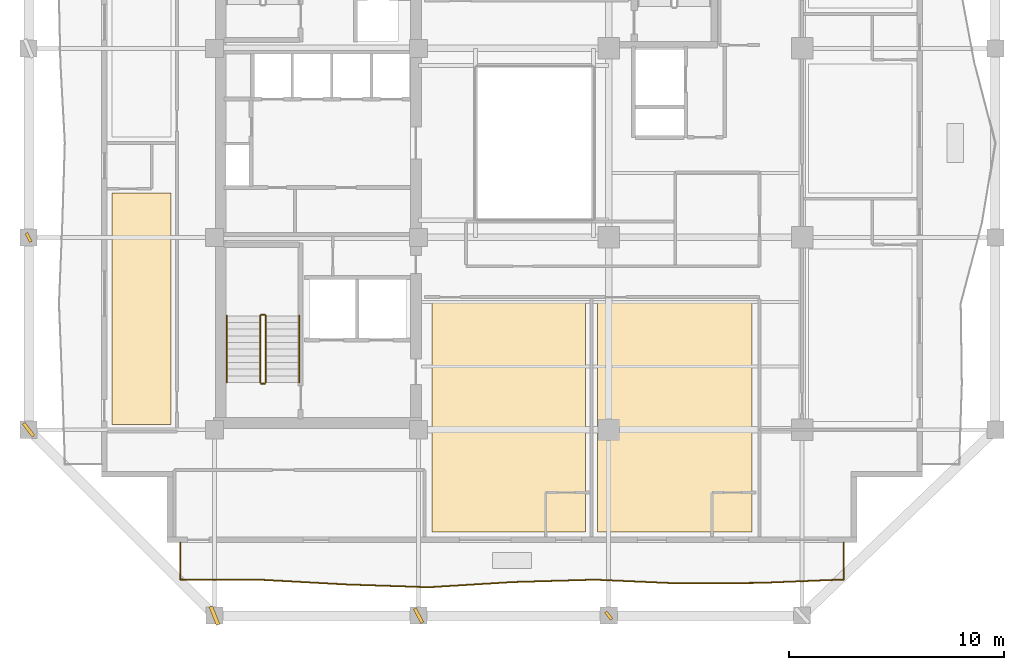
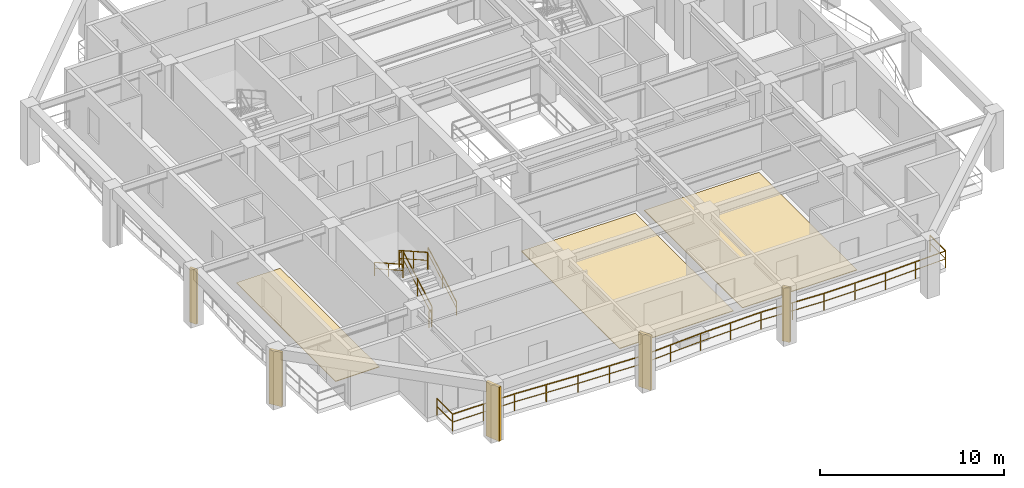
# One storey, part 8 of 11: 7 railings, 5 shading devices, 3 coverings.
"""IFC4 building model written with IfcOpenShell, lengths in metres."""

from ifc_helpers import new_model, si_unit, direction, frame, origin, origin_2d, place, context, subcontext, project, spatial, polyline, rectangle, outline, extrude, material, layer, layer_set, type_object, element, save


model = new_model("IFC4")

# Units and contexts
model_context = context("Model", 3, precision=1e-05, world=origin(), true_north=direction((0.0, 1.0)))
body_context = subcontext(model_context, "Body", "Model", "MODEL_VIEW")
ifc_project = project(units=[si_unit("LENGTHUNIT", "METRE"), si_unit("AREAUNIT", "SQUARE_METRE"), si_unit("VOLUMEUNIT", "CUBIC_METRE"), si_unit("PLANEANGLEUNIT", "RADIAN"), si_unit("MASSUNIT", "GRAM", prefix="KILO")], contexts=[model_context])

# Site, building, storey
site_placement = place(None, origin())
site = spatial("IfcSite", under=ifc_project, at=site_placement, CompositionType="ELEMENT")
building_placement = place(site_placement, origin())
building = spatial("IfcBuilding", under=site, at=building_placement, Name="Kundavana Baori Tower", CompositionType="ELEMENT")
storey_placement = place(building_placement, frame((0.0, 0.0, 123.25)))
storey = spatial("IfcBuildingStorey", under=building, at=storey_placement, Name="L29", CompositionType="ELEMENT", Elevation=123.25)

# Coverings
ifc_material_1 = material(Name="Honed Kota Stone and Terrazzo Flooring", Category="masonry")
ifc_layer = layer(ifc_material_1, 0.0400390625, Name="COV-FLR-TERR-40")
ifc_layer_set = layer_set([ifc_layer], Name="Honed Kota Stone and Terrazzo Flooring")
covering_type = type_object("IfcCoveringType", Name="COV-FLR-TERR-40", PredefinedType="FLOORING", material=ifc_layer_set)
covering_1_placement = place(storey_placement, origin())
element("IfcCovering", 1, at=covering_1_placement, inside=storey, type_object=covering_type, Name="L29 Room Finished Stone Flooring 1", PredefinedType="FLOORING", context=body_context, shape_type="SweptSolid", body=[
    extrude(outline(polyline([(10.679931640625, 15.5), (13.419921875, 15.5), (13.419921875, 26.27001953125), (10.679931640625, 26.27001953125), (10.679931640625, 15.5)])), origin(), (0.0, 0.0, 1.0), 0.0400390625),
])
covering_2_placement = place(storey_placement, origin())
element("IfcCovering", 2, at=covering_2_placement, inside=storey, type_object=covering_type, Name="L29 Room Finished Stone Flooring 3", PredefinedType="FLOORING", context=body_context, shape_type="SweptSolid", body=[
    extrude(outline(polyline([(25.580078125, 10.47998046875), (32.719970703125, 10.47998046875), (32.719970703125, 21.139892578125), (25.580078125, 21.139892578125), (25.580078125, 10.47998046875)])), origin(), (0.0, 0.0, 1.0), 0.0400390625),
])
covering_3_placement = place(storey_placement, origin())
element("IfcCovering", 3, at=covering_3_placement, inside=storey, type_object=covering_type, Name="L29 Room Finished Stone Flooring 4", PredefinedType="FLOORING", context=body_context, shape_type="SweptSolid", body=[
    extrude(outline(polyline([(33.280029296875, 10.47998046875), (40.4599609375, 10.47998046875), (40.4599609375, 21.139892578125), (33.280029296875, 21.139892578125), (33.280029296875, 10.47998046875)])), origin(), (0.0, 0.0, 1.0), 0.0400390625),
])

# Railings
ifc_material_2 = material(Name="Architectural Patinated Bronze Metalwork")
railing_type_1 = type_object("IfcRailingType", Name="RL-BAL-1150", PredefinedType="BALUSTRADE", material=ifc_material_2)
railing_1_placement = place(storey_placement, frame((44.75, 10.0, 0.0)))
element("IfcRailing", 4, at=railing_1_placement, inside=storey, type_object=railing_type_1, Name="L29 Loggia Balcony Balustrade S", PredefinedType="BALUSTRADE", context=body_context, shape_type="SweptSolid", body=[
    extrude(rectangle(XDim=0.048095703125, YDim=0.048095703125, at=origin_2d()), frame((0.0, 0.0, 1.1259765625), z_axis=(0.0, -1.0, 0.0), x_axis=(1.0, 0.0, 0.0)), (0.0, 0.0, 1.0), 1.719970703125),
    extrude(rectangle(XDim=0.03125, YDim=0.03125, at=origin_2d()), frame((0.0, 0.0, 0.597900390625), z_axis=(0.0, -1.0, 0.0), x_axis=(1.0, 0.0, 0.0)), (0.0, 0.0, 1.0), 1.719970703125),
    extrude(rectangle(XDim=0.048095703125, YDim=0.048095703125, at=origin_2d()), frame((0.0, -1.719970703125, 1.1259765625), z_axis=(-0.999144308463, -0.041360015297, 0.0), x_axis=(0.041360015297, -0.999144308463, 0.0)), (0.0, 0.0, 1.0), 3.866455078125),
    extrude(rectangle(XDim=0.03125, YDim=0.03125, at=origin_2d()), frame((0.0, -1.719970703125, 0.597900390625), z_axis=(-0.999144308463, -0.041360015297, 0.0), x_axis=(0.041360015297, -0.999144308463, 0.0)), (0.0, 0.0, 1.0), 3.866455078125),
    extrude(rectangle(XDim=0.048095703125, YDim=0.048095703125, at=origin_2d()), frame((-3.863037109375, -1.8798828125, 1.1259765625), z_axis=(-0.999980417435, -0.006258174431, 0.0), x_axis=(0.006258174431, -0.999980417435, 0.0)), (0.0, 0.0, 1.0), 3.862060546875),
    extrude(rectangle(XDim=0.03125, YDim=0.03125, at=origin_2d()), frame((-3.863037109375, -1.8798828125, 0.597900390625), z_axis=(-0.999980417435, -0.006258174431, 0.0), x_axis=(0.006258174431, -0.999980417435, 0.0)), (0.0, 0.0, 1.0), 3.862060546875),
    extrude(rectangle(XDim=0.048095703125, YDim=0.048095703125, at=origin_2d()), frame((-7.72509765625, -1.904052734375, 1.1259765625), z_axis=(-0.998985657213, 0.045029509015, 0.0), x_axis=(-0.045029509015, -0.998985657213, 0.0)), (0.0, 0.0, 1.0), 3.86572265625),
    extrude(rectangle(XDim=0.03125, YDim=0.03125, at=origin_2d()), frame((-7.72509765625, -1.904052734375, 0.597900390625), z_axis=(-0.998985657213, 0.045029509015, 0.0), x_axis=(-0.045029509015, -0.998985657213, 0.0)), (0.0, 0.0, 1.0), 3.86572265625),
    extrude(rectangle(XDim=0.048095703125, YDim=0.048095703125, at=origin_2d()), frame((-11.5869140625, -1.72998046875, 1.1259765625), z_axis=(-0.999564746277, -0.029501152532, 0.0), x_axis=(0.029501152532, -0.999564746277, 0.0)), (0.0, 0.0, 1.0), 3.86474609375),
    extrude(rectangle(XDim=0.03125, YDim=0.03125, at=origin_2d()), frame((-11.5869140625, -1.72998046875, 0.597900390625), z_axis=(-0.999564746277, -0.029501152532, 0.0), x_axis=(0.029501152532, -0.999564746277, 0.0)), (0.0, 0.0, 1.0), 3.86474609375),
    extrude(rectangle(XDim=0.048095703125, YDim=0.048095703125, at=origin_2d()), frame((-15.449951171875, -1.843994140625, 1.1259765625), z_axis=(-0.998090445821, -0.061769425783, 0.0), x_axis=(0.061769425783, -0.998090445821, 0.0)), (0.0, 0.0, 1.0), 3.869384765625),
    extrude(rectangle(XDim=0.03125, YDim=0.03125, at=origin_2d()), frame((-15.449951171875, -1.843994140625, 0.597900390625), z_axis=(-0.998090445821, -0.061769425783, 0.0), x_axis=(0.061769425783, -0.998090445821, 0.0)), (0.0, 0.0, 1.0), 3.869384765625),
    extrude(rectangle(XDim=0.048095703125, YDim=0.048095703125, at=origin_2d()), frame((-19.31201171875, -2.0830078125, 1.1259765625), z_axis=(-0.999433137972, 0.033666047054, 0.0), x_axis=(-0.033666047054, -0.999433137972, 0.0)), (0.0, 0.0, 1.0), 3.865234375),
    extrude(rectangle(XDim=0.03125, YDim=0.03125, at=origin_2d()), frame((-19.31201171875, -2.0830078125, 0.597900390625), z_axis=(-0.999433137972, 0.033666047054, 0.0), x_axis=(-0.033666047054, -0.999433137972, 0.0)), (0.0, 0.0, 1.0), 3.865234375),
    extrude(rectangle(XDim=0.048095703125, YDim=0.048095703125, at=origin_2d()), frame((-23.175048828125, -1.952880859375, 1.1259765625), z_axis=(-0.998471013589, 0.055277798641, 0.0), x_axis=(-0.055277798641, -0.998471013589, 0.0)), (0.0, 0.0, 1.0), 3.868896484375),
    extrude(rectangle(XDim=0.03125, YDim=0.03125, at=origin_2d()), frame((-23.175048828125, -1.952880859375, 0.597900390625), z_axis=(-0.998471013589, 0.055277798641, 0.0), x_axis=(-0.055277798641, -0.998471013589, 0.0)), (0.0, 0.0, 1.0), 3.868896484375),
    extrude(rectangle(XDim=0.048095703125, YDim=0.048095703125, at=origin_2d()), frame((-27.0380859375, -1.739013671875, 1.1259765625), z_axis=(-0.999987842392, 0.004931031212, 0.0), x_axis=(-0.004931031212, -0.999987842392, 0.0)), (0.0, 0.0, 1.0), 3.86181640625),
    extrude(rectangle(XDim=0.03125, YDim=0.03125, at=origin_2d()), frame((-27.0380859375, -1.739013671875, 0.597900390625), z_axis=(-0.999987842392, 0.004931031212, 0.0), x_axis=(-0.004931031212, -0.999987842392, 0.0)), (0.0, 0.0, 1.0), 3.86181640625),
    extrude(rectangle(XDim=0.048095703125, YDim=0.048095703125, at=origin_2d()), frame((-30.89990234375, -1.719970703125, 1.1259765625), z_axis=(0.0, 1.0, 0.0), x_axis=(-1.0, 0.0, 0.0)), (0.0, 0.0, 1.0), 1.719970703125),
    extrude(rectangle(XDim=0.03125, YDim=0.03125, at=origin_2d()), frame((-30.89990234375, -1.719970703125, 0.597900390625), z_axis=(0.0, 1.0, 0.0), x_axis=(-1.0, 0.0, 0.0)), (0.0, 0.0, 1.0), 1.719970703125),
    extrude(rectangle(XDim=0.0419921875, YDim=0.0419921875, at=origin_2d()), origin(), (0.0, 0.0, 1.0), 1.101806640625),
    extrude(rectangle(XDim=0.0419921875, YDim=0.0419921875, at=origin_2d()), frame((0.0, -1.719970703125, 0.0)), (0.0, 0.0, 1.0), 1.101806640625),
    extrude(rectangle(XDim=0.0419921875, YDim=0.0419921875, at=origin_2d()), frame((-1.931640625, -1.7998046875, 0.0)), (0.0, 0.0, 1.0), 1.101806640625),
    extrude(rectangle(XDim=0.0419921875, YDim=0.0419921875, at=origin_2d()), frame((-3.863037109375, -1.8798828125, 0.0)), (0.0, 0.0, 1.0), 1.101806640625),
    extrude(rectangle(XDim=0.0419921875, YDim=0.0419921875, at=origin_2d()), frame((-5.7939453125, -1.89208984375, 0.0)), (0.0, 0.0, 1.0), 1.101806640625),
    extrude(rectangle(XDim=0.0419921875, YDim=0.0419921875, at=origin_2d()), frame((-7.72509765625, -1.904052734375, 0.0)), (0.0, 0.0, 1.0), 1.101806640625),
    extrude(rectangle(XDim=0.0419921875, YDim=0.0419921875, at=origin_2d()), frame((-9.656005859375, -1.81689453125, 0.0)), (0.0, 0.0, 1.0), 1.101806640625),
    extrude(rectangle(XDim=0.0419921875, YDim=0.0419921875, at=origin_2d()), frame((-11.5869140625, -1.72998046875, 0.0)), (0.0, 0.0, 1.0), 1.101806640625),
    extrude(rectangle(XDim=0.0419921875, YDim=0.0419921875, at=origin_2d()), frame((-13.5185546875, -1.787109375, 0.0)), (0.0, 0.0, 1.0), 1.101806640625),
    extrude(rectangle(XDim=0.0419921875, YDim=0.0419921875, at=origin_2d()), frame((-15.449951171875, -1.843994140625, 0.0)), (0.0, 0.0, 1.0), 1.101806640625),
    extrude(rectangle(XDim=0.0419921875, YDim=0.0419921875, at=origin_2d()), frame((-17.380859375, -1.96337890625, 0.0)), (0.0, 0.0, 1.0), 1.101806640625),
    extrude(rectangle(XDim=0.0419921875, YDim=0.0419921875, at=origin_2d()), frame((-19.31201171875, -2.0830078125, 0.0)), (0.0, 0.0, 1.0), 1.101806640625),
    extrude(rectangle(XDim=0.0419921875, YDim=0.0419921875, at=origin_2d()), frame((-21.24365234375, -2.01806640625, 0.0)), (0.0, 0.0, 1.0), 1.101806640625),
    extrude(rectangle(XDim=0.0419921875, YDim=0.0419921875, at=origin_2d()), frame((-23.175048828125, -1.952880859375, 0.0)), (0.0, 0.0, 1.0), 1.101806640625),
    extrude(rectangle(XDim=0.0419921875, YDim=0.0419921875, at=origin_2d()), frame((-25.1064453125, -1.845947265625, 0.0)), (0.0, 0.0, 1.0), 1.101806640625),
    extrude(rectangle(XDim=0.0419921875, YDim=0.0419921875, at=origin_2d()), frame((-27.0380859375, -1.739013671875, 0.0)), (0.0, 0.0, 1.0), 1.101806640625),
    extrude(rectangle(XDim=0.0419921875, YDim=0.0419921875, at=origin_2d()), frame((-28.968994140625, -1.7294921875, 0.0)), (0.0, 0.0, 1.0), 1.101806640625),
    extrude(rectangle(XDim=0.0419921875, YDim=0.0419921875, at=origin_2d()), frame((-30.89990234375, -1.719970703125, 0.0)), (0.0, 0.0, 1.0), 1.101806640625),
    extrude(rectangle(XDim=0.0419921875, YDim=0.0419921875, at=origin_2d()), frame((-30.89990234375, 0.0, 0.0)), (0.0, 0.0, 1.0), 1.101806640625),
])
ifc_material_3 = material(Name="Architectural Patinated Bronze Metalwork")
railing_type_2 = type_object("IfcRailingType", Name="RL-GRD-1150", PredefinedType="GUARDRAIL", material=ifc_material_3)
railing_2_placement = place(storey_placement, frame((17.840087890625, 17.449951171875, 0.175048828125)))
element("IfcRailing", 5, at=railing_2_placement, inside=storey, type_object=railing_type_2, Name="L29 ST1 stair guard 1", PredefinedType="GUARDRAIL", context=body_context, shape_type="SweptSolid", body=[
    extrude(rectangle(XDim=0.048095703125, YDim=0.048095703125, at=origin_2d()), frame((0.0, 0.0, 1.1259765625), z_axis=(0.0, 0.870830938388, 0.491582624537), x_axis=(-1.0, 0.0, 0.0)), (0.0, 0.0, 1.0), 3.559814453125),
    extrude(rectangle(XDim=0.03125, YDim=0.03125, at=origin_2d()), frame((0.0, 0.0, 0.597900390625), z_axis=(0.0, 0.870830938388, 0.491582624537), x_axis=(-1.0, 0.0, 0.0)), (0.0, 0.0, 1.0), 3.559814453125),
    extrude(rectangle(XDim=0.0419921875, YDim=0.0419921875, at=origin_2d()), origin(), (0.0, 0.0, 1.0), 1.101806640625),
    extrude(rectangle(XDim=0.0419921875, YDim=0.0419921875, at=origin_2d()), frame((0.0, 1.550048828125, 0.875)), (0.0, 0.0, 1.0), 1.101806640625),
    extrude(rectangle(XDim=0.0419921875, YDim=0.0419921875, at=origin_2d()), frame((0.0, 3.10009765625, 1.75)), (0.0, 0.0, 1.0), 1.101806640625),
])
railing_3_placement = place(storey_placement, frame((17.7900390625, 20.60009765625, 1.925048828125)))
element("IfcRailing", 6, at=railing_3_placement, inside=storey, type_object=railing_type_2, Name="L29 ST1 stair guard 2", PredefinedType="GUARDRAIL", context=body_context, shape_type="SweptSolid", body=[
    extrude(rectangle(XDim=0.048095703125, YDim=0.048095703125, at=origin_2d()), frame((0.0, 0.0, 1.1259765625), z_axis=(-1.0, 0.0, 0.0), x_axis=(0.0, -1.0, 0.0)), (0.0, 0.0, 1.0), 0.16015625),
    extrude(rectangle(XDim=0.03125, YDim=0.03125, at=origin_2d()), frame((0.0, 0.0, 0.597900390625), z_axis=(-1.0, 0.0, 0.0), x_axis=(0.0, -1.0, 0.0)), (0.0, 0.0, 1.0), 0.16015625),
    extrude(rectangle(XDim=0.0419921875, YDim=0.0419921875, at=origin_2d()), origin(), (0.0, 0.0, 1.0), 1.101806640625),
    extrude(rectangle(XDim=0.0419921875, YDim=0.0419921875, at=origin_2d()), frame((-0.16015625, 0.0, 0.0)), (0.0, 0.0, 1.0), 1.101806640625),
])
railing_4_placement = place(storey_placement, frame((17.580078125, 20.550048828125, 2.10009765625)))
element("IfcRailing", 7, at=railing_4_placement, inside=storey, type_object=railing_type_2, Name="L29 ST1 stair guard 3", PredefinedType="GUARDRAIL", context=body_context, shape_type="SweptSolid", body=[
    extrude(rectangle(XDim=0.048095703125, YDim=0.048095703125, at=origin_2d()), frame((0.0, 0.0, 1.1259765625), z_axis=(0.0, -0.870830938388, 0.491582624537), x_axis=(1.0, 0.0, 0.0)), (0.0, 0.0, 1.0), 3.559814453125),
    extrude(rectangle(XDim=0.03125, YDim=0.03125, at=origin_2d()), frame((0.0, 0.0, 0.597900390625), z_axis=(0.0, -0.870830938388, 0.491582624537), x_axis=(1.0, 0.0, 0.0)), (0.0, 0.0, 1.0), 3.559814453125),
    extrude(rectangle(XDim=0.0419921875, YDim=0.0419921875, at=origin_2d()), origin(), (0.0, 0.0, 1.0), 1.101806640625),
    extrude(rectangle(XDim=0.0419921875, YDim=0.0419921875, at=origin_2d()), frame((0.0, -1.550048828125, 0.875)), (0.0, 0.0, 1.0), 1.101806640625),
    extrude(rectangle(XDim=0.0419921875, YDim=0.0419921875, at=origin_2d()), frame((0.0, -3.10009765625, 1.75)), (0.0, 0.0, 1.0), 1.101806640625),
])
railing_5_placement = place(storey_placement, frame((17.7900390625, 17.39990234375, 0.0)))
element("IfcRailing", 8, at=railing_5_placement, inside=storey, type_object=railing_type_2, Name="L29 ST1 stair guard 4", PredefinedType="GUARDRAIL", context=body_context, shape_type="SweptSolid", body=[
    extrude(rectangle(XDim=0.048095703125, YDim=0.048095703125, at=origin_2d()), frame((0.0, 0.0, 1.1259765625), z_axis=(-1.0, 0.0, 0.0), x_axis=(0.0, -1.0, 0.0)), (0.0, 0.0, 1.0), 0.16015625),
    extrude(rectangle(XDim=0.03125, YDim=0.03125, at=origin_2d()), frame((0.0, 0.0, 0.597900390625), z_axis=(-1.0, 0.0, 0.0), x_axis=(0.0, -1.0, 0.0)), (0.0, 0.0, 1.0), 0.16015625),
    extrude(rectangle(XDim=0.0419921875, YDim=0.0419921875, at=origin_2d()), origin(), (0.0, 0.0, 1.0), 1.101806640625),
    extrude(rectangle(XDim=0.0419921875, YDim=0.0419921875, at=origin_2d()), frame((-0.16015625, 0.0, 0.0)), (0.0, 0.0, 1.0), 1.101806640625),
])
ifc_material_4 = material(Name="Architectural Patinated Bronze Metalwork")
railing_type_3 = type_object("IfcRailingType", Name="RL-HND-920", PredefinedType="HANDRAIL", material=ifc_material_4)
railing_6_placement = place(storey_placement, frame((19.389892578125, 17.449951171875, 0.175048828125)))
element("IfcRailing", 9, at=railing_6_placement, inside=storey, type_object=railing_type_3, Name="L29 ST1 stair handrail 1", PredefinedType="HANDRAIL", context=body_context, shape_type="SweptSolid", body=[
    extrude(rectangle(XDim=0.048095703125, YDim=0.048095703125, at=origin_2d()), frame((0.0, 0.0, 0.8759765625), z_axis=(0.0, 0.870830938388, 0.491582624537), x_axis=(-1.0, 0.0, 0.0)), (0.0, 0.0, 1.0), 3.559814453125),
    extrude(rectangle(XDim=0.03125, YDim=0.03125, at=origin_2d()), frame((0.0, 0.0, 0.468017578125), z_axis=(0.0, 0.870830938388, 0.491582624537), x_axis=(-1.0, 0.0, 0.0)), (0.0, 0.0, 1.0), 3.559814453125),
    extrude(rectangle(XDim=0.0419921875, YDim=0.0419921875, at=origin_2d()), origin(), (0.0, 0.0, 1.0), 0.851806640625),
    extrude(rectangle(XDim=0.0419921875, YDim=0.0419921875, at=origin_2d()), frame((0.0, 1.550048828125, 0.875)), (0.0, 0.0, 1.0), 0.851806640625),
    extrude(rectangle(XDim=0.0419921875, YDim=0.0419921875, at=origin_2d()), frame((0.0, 3.10009765625, 1.75)), (0.0, 0.0, 1.0), 0.851806640625),
])
railing_7_placement = place(storey_placement, frame((16.030029296875, 20.550048828125, 2.10009765625)))
element("IfcRailing", 10, at=railing_7_placement, inside=storey, type_object=railing_type_3, Name="L29 ST1 stair handrail 2", PredefinedType="HANDRAIL", context=body_context, shape_type="SweptSolid", body=[
    extrude(rectangle(XDim=0.048095703125, YDim=0.048095703125, at=origin_2d()), frame((0.0, 0.0, 0.8759765625), z_axis=(0.0, -0.870830938388, 0.491582624537), x_axis=(1.0, 0.0, 0.0)), (0.0, 0.0, 1.0), 3.559814453125),
    extrude(rectangle(XDim=0.03125, YDim=0.03125, at=origin_2d()), frame((0.0, 0.0, 0.468017578125), z_axis=(0.0, -0.870830938388, 0.491582624537), x_axis=(1.0, 0.0, 0.0)), (0.0, 0.0, 1.0), 3.559814453125),
    extrude(rectangle(XDim=0.0419921875, YDim=0.0419921875, at=origin_2d()), origin(), (0.0, 0.0, 1.0), 0.851806640625),
    extrude(rectangle(XDim=0.0419921875, YDim=0.0419921875, at=origin_2d()), frame((0.0, -1.550048828125, 0.875)), (0.0, 0.0, 1.0), 0.851806640625),
    extrude(rectangle(XDim=0.0419921875, YDim=0.0419921875, at=origin_2d()), frame((0.0, -3.10009765625, 1.75)), (0.0, 0.0, 1.0), 0.851806640625),
])

# Shading devices
ifc_material_5 = material(Name="Red-Buff Dholpur Sandstone Cladding on Concrete C40/50", Category="masonry")
shading_device_type_1 = type_object("IfcShadingDeviceType", Name="SHD-FIN-750", PredefinedType="JALOUSIE", material=ifc_material_5)
for number, where, z_axis, x_axis, name in (
    (11, (24.949951171875, 6.60009765625, 0.0), (0.0, 0.0, 1.0), (0.883275130644, 0.468855034724, 0.0), "L29 Sweeping Dholpur Sandstone Facade Fin 2"),
    (12, (6.800048828125, 15.25, 0.0), (0.0, 0.0, 1.0), (0.795579233667, 0.605849554723, 0.0), "L29 Sweeping Dholpur Sandstone Facade Fin 5"),
):
    element("IfcShadingDevice", number, at=place(storey_placement, frame(where, z_axis=z_axis, x_axis=x_axis)), inside=storey, type_object=shading_device_type_1, Name=name, PredefinedType="JALOUSIE", context=body_context, shape_type="SweptSolid", body=[
        extrude(rectangle(XDim=0.159912109375, YDim=0.75, at=origin_2d()), origin(), (0.0, 0.0, 1.0), 3.60009765625),
    ])
ifc_material_6 = material(Name="Red-Buff Dholpur Sandstone Cladding on Concrete C40/50", Category="masonry")
shading_device_type_2 = type_object("IfcShadingDeviceType", Name="SHD-FIN-920", PredefinedType="JALOUSIE", material=ifc_material_6)
shading_device_placement = place(storey_placement, frame((15.449951171875, 6.60009765625, 0.0), z_axis=(0.0, 0.0, 1.0), x_axis=(0.926397247385, 0.376547659716, 0.0)))
element("IfcShadingDevice", 13, at=shading_device_placement, inside=storey, type_object=shading_device_type_2, Name="L29 Sweeping Dholpur Sandstone Facade Fin 1", PredefinedType="JALOUSIE", context=body_context, shape_type="SweptSolid", body=[
    extrude(rectangle(XDim=0.179931640625, YDim=0.919921875, at=origin_2d()), origin(), (0.0, 0.0, 1.0), 3.60009765625),
])
ifc_material_7 = material(Name="Architectural Patinated Bronze Metalwork")
shading_device_type_3 = type_object("IfcShadingDeviceType", Name="SHD-LOUV-450", PredefinedType="SHUTTER", material=ifc_material_7)
for number, where, z_axis, x_axis, name in (
    (14, (33.800048828125, 6.60009765625, 0.0), (0.0, 0.0, 1.0), (0.793247079295, 0.608899886015, 0.0), "L29 Sweeping Dholpur Sandstone Facade Fin 3"),
    (15, (6.800048828125, 24.199951171875, 0.0), (0.0, 0.0, 1.0), (0.885231311332, 0.465151078077, 0.0), "L29 Sweeping Dholpur Sandstone Facade Fin 6"),
):
    element("IfcShadingDevice", number, at=place(storey_placement, frame(where, z_axis=z_axis, x_axis=x_axis)), inside=storey, type_object=shading_device_type_3, Name=name, PredefinedType="SHUTTER", context=body_context, shape_type="SweptSolid", body=[
        extrude(rectangle(XDim=0.139892578125, YDim=0.449951171875, at=origin_2d()), origin(), (0.0, 0.0, 1.0), 3.60009765625),
    ])

save(model, "model.ifc")
